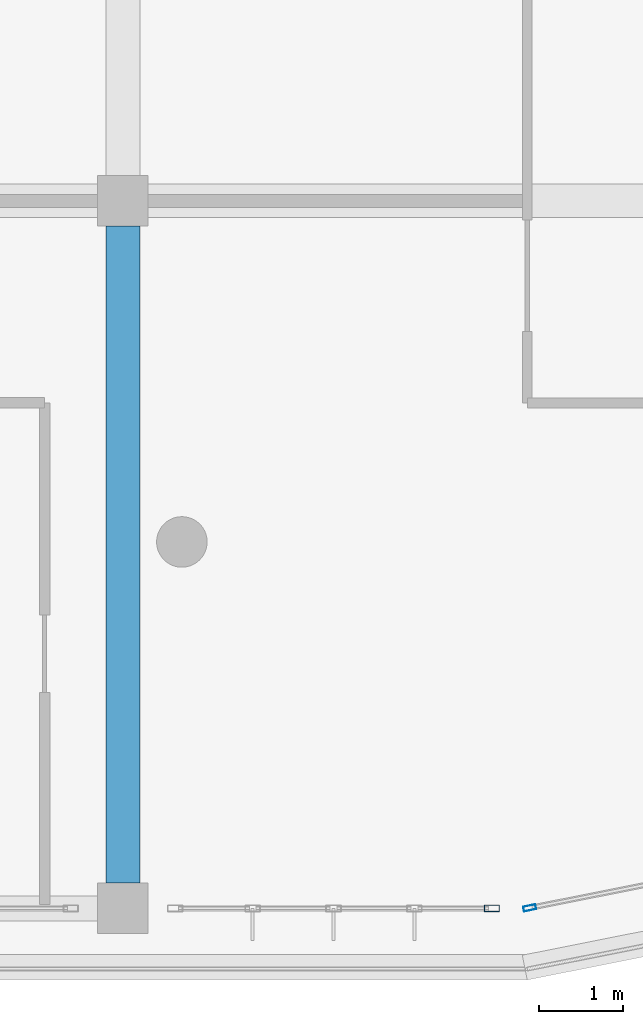
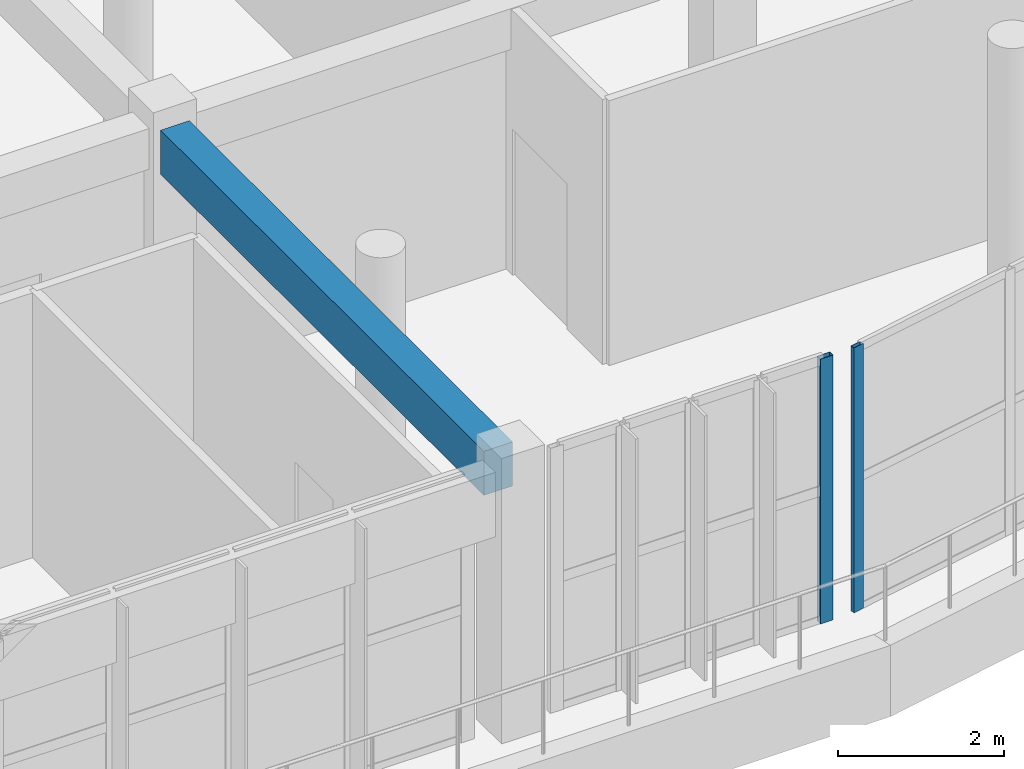
# One storey, part 24 of 56: 2 members, 1 beam, 2 elements without a shape of their own.
"""IFC4 building model written with IfcOpenShell, lengths in metres."""

from ifc_helpers import new_model, si_unit, direction, frame, origin, origin_2d, place, context, subcontext, project, spatial, rectangle, hollow_rectangle, extrude, material, layer, layer_set, material_profile, profile_set, type_object, element, aggregate, save


model = new_model("IFC4")

# Units and contexts
model_context = context("Model", 3, precision=1e-05, world=origin(), true_north=direction((0.0, 1.0)))
body_context = subcontext(model_context, "Body", "Model", "MODEL_VIEW")
ifc_project = project(units=[si_unit("LENGTHUNIT", "METRE"), si_unit("AREAUNIT", "SQUARE_METRE"), si_unit("VOLUMEUNIT", "CUBIC_METRE"), si_unit("PLANEANGLEUNIT", "RADIAN"), si_unit("MASSUNIT", "GRAM", prefix="KILO")], contexts=[model_context])

# Site, building, storey
site_placement = place(None, origin())
site = spatial("IfcSite", under=ifc_project, at=site_placement, CompositionType="ELEMENT")
building_placement = place(site_placement, origin())
building = spatial("IfcBuilding", under=site, at=building_placement, Name="Zizhar Promenade General Hospital", CompositionType="ELEMENT")
storey_placement = place(building_placement, frame((0.0, 0.0, 26.39990234375)))
storey = spatial("IfcBuildingStorey", under=building, at=storey_placement, Name="L06", CompositionType="ELEMENT", Elevation=26.39990234375)

# Beam
ifc_material_1 = material(Name="Concrete C35/45", Category="concrete")
ifc_material_profile_1 = material_profile(ifc_material_1, rectangle(XDim=0.39990234375, YDim=0.64990234375, at=origin_2d()))
ifc_profile_set_1 = profile_set([ifc_material_profile_1], Name="Concrete C35/45")
beam_type = type_object("IfcBeamType", Name="BM-RC-400x650", PredefinedType="BEAM", material=ifc_profile_set_1)
beam_placement = place(storey_placement, frame((109.199951171875, 0.300048828125, 3.585205078125), z_axis=(0.0, 1.0, 0.0), x_axis=(-1.0, 0.0, 0.0)))
element("IfcBeam", 1, at=beam_placement, inside=storey, type_object=beam_type, Name="Grid Beam Y L06 (14-0)", PredefinedType="BEAM", context=body_context, shape_type="SweptSolid", body=[
    extrude(rectangle(XDim=0.39990234375, YDim=0.64990234375, at=origin_2d()), origin(), (0.0, 0.0, 1.0), 7.800048828125),
])

# Curtain wall, member
ifc_material_2 = material(Name="Anodised aluminium 6063-T6 and low-E glass", Category="aluminium")
ifc_layer_1 = layer(ifc_material_2, 0.159912109375)
ifc_layer_set_1 = layer_set([ifc_layer_1], Name="Anodised aluminium 6063-T6 and low-E glass")
curtain_wall_type_1 = type_object("IfcCurtainWallType", Name="CW-WARD-ARC", PredefinedType="NOTDEFINED", material=ifc_layer_set_1)
curtain_wall_1_placement = place(storey_placement, origin())
curtain_wall_1 = element("IfcCurtainWall", 2, at=curtain_wall_1_placement, inside=storey, type_object=curtain_wall_type_1, Name="Ward Semicircular End Glazing L06-01", PredefinedType="NOTDEFINED")
ifc_material_3 = material(Name="Anodised aluminium 6063-T6", Category="aluminium")
ifc_material_profile_2 = material_profile(ifc_material_3, hollow_rectangle(XDim=0.06005859375, YDim=0.14990234375, WallThickness=0.00390625, at=origin_2d()))
ifc_profile_set_2 = profile_set([ifc_material_profile_2], Name="Anodised aluminium 6063-T6")
member_type_1 = type_object("IfcMemberType", Name="CWM-ALU-150x60", PredefinedType="MULLION", material=ifc_profile_set_2)
member_1_placement = place(storey_placement, frame((114.029541015625, 0.005859375, 0.0), z_axis=(0.0, 0.0, 1.0), x_axis=(0.195087259275, -0.980785889615, 0.0)))
member_1 = element("IfcMember", 3, at=member_1_placement, type_object=member_type_1, Name="CW-12 mullion 3", PredefinedType="MULLION", context=body_context, shape_type="SweptSolid", body=[
    extrude(hollow_rectangle(XDim=0.06005859375, YDim=0.14990234375, WallThickness=0.00390625, at=origin_2d()), origin(), (0.0, 0.0, 1.0), 3.900146484375),
])
aggregate(curtain_wall_1, [member_1])

ifc_material_4 = material(Name="Anodised aluminium 6063-T6 and low-E glass", Category="aluminium")
ifc_layer_2 = layer(ifc_material_4, 0.159912109375)
ifc_layer_set_2 = layer_set([ifc_layer_2], Name="Anodised aluminium 6063-T6 and low-E glass")
curtain_wall_type_2 = type_object("IfcCurtainWallType", Name="CW-WARD-RIB", PredefinedType="NOTDEFINED", material=ifc_layer_set_2)
curtain_wall_2_placement = place(storey_placement, origin())
curtain_wall_2 = element("IfcCurtainWall", 4, at=curtain_wall_2_placement, inside=storey, type_object=curtain_wall_type_2, Name="Ward Ribbon Curtain Wall L06-17-0", PredefinedType="NOTDEFINED")
ifc_material_5 = material(Name="Anodised aluminium 6063-T6", Category="aluminium")
ifc_material_profile_3 = material_profile(ifc_material_5, hollow_rectangle(XDim=0.080078125, YDim=0.179931640625, WallThickness=0.0048828125, at=origin_2d()))
ifc_profile_set_3 = profile_set([ifc_material_profile_3], Name="Anodised aluminium 6063-T6")
member_type_2 = type_object("IfcMemberType", Name="CWM-ALU-180x80", PredefinedType="MULLION", material=ifc_profile_set_3)
member_2_placement = place(storey_placement, frame((113.580078125, 0.0, 0.0), z_axis=(0.0, 0.0, 1.0), x_axis=(0.0, -1.0, 0.0)))
member_2 = element("IfcMember", 5, at=member_2_placement, type_object=member_type_2, Name="CW-13 mullion 1", PredefinedType="MULLION", context=body_context, shape_type="SweptSolid", body=[
    extrude(hollow_rectangle(XDim=0.080078125, YDim=0.179931640625, WallThickness=0.0048828125, at=origin_2d()), origin(), (0.0, 0.0, 1.0), 3.900146484375),
])
aggregate(curtain_wall_2, [member_2])

save(model, "model.ifc")
